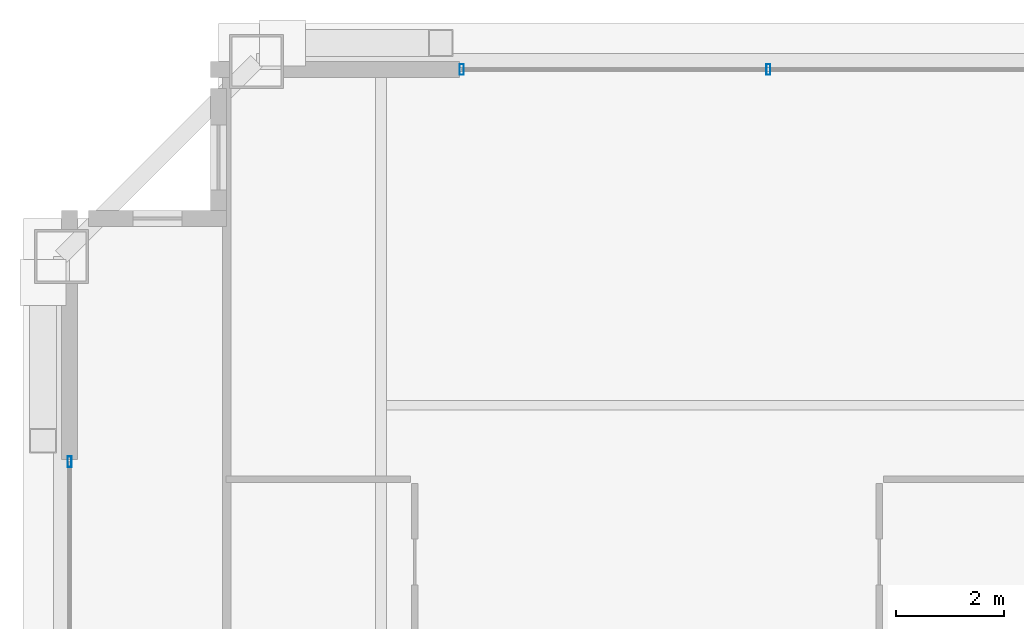
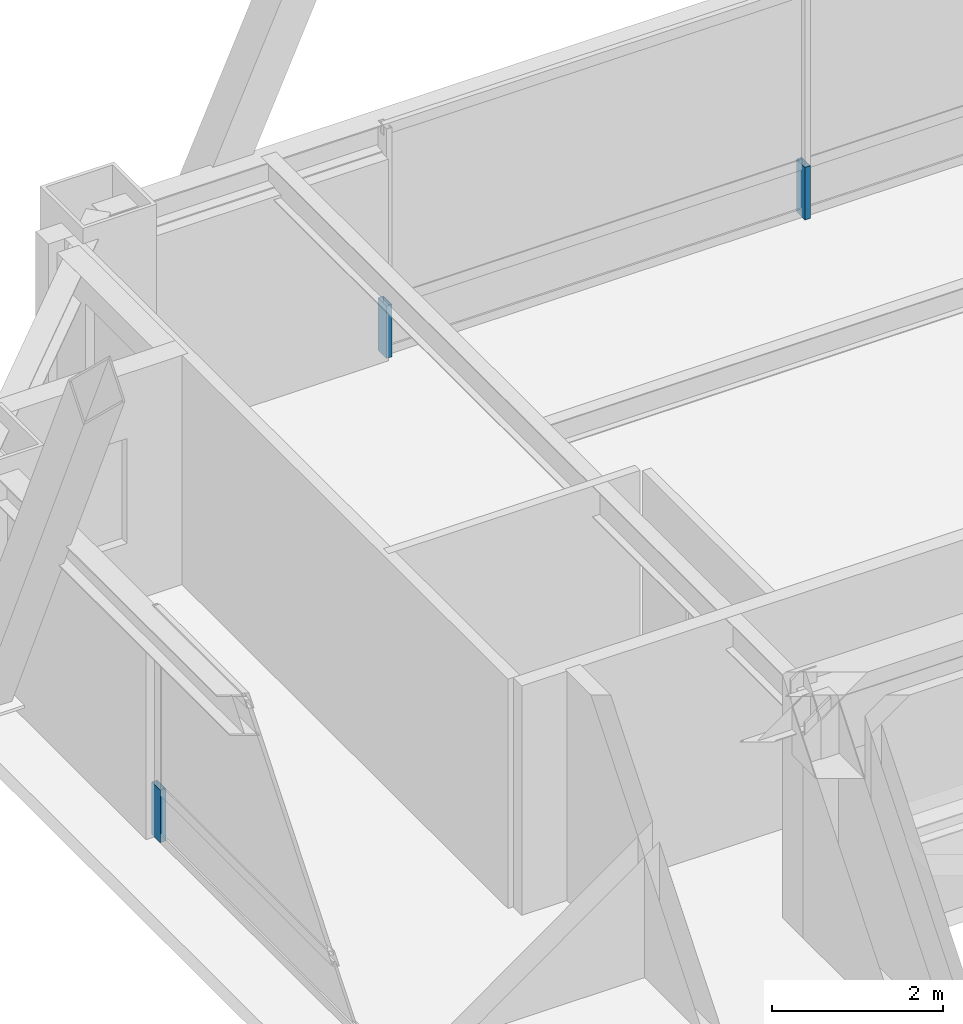
# One storey, part 26 of 34: 3 members, 2 elements without a shape of their own.
"""IFC4 building model written with IfcOpenShell, lengths in metres."""

import ifcopenshell
import ifcopenshell.guid

model = None  # the IFC model being written
_history = None  # IfcOwnerHistory: only IFC2X3 demands one
_inside = {}  # id of a spatial element -> (the spatial element, [elements in it])
_under = {}  # id of a project, library or spatial element -> (it, [spatial elements below it])
_declared = {}  # id of a project -> (the project, [libraries it declares])
_typed = {}  # id of a type object -> (the type object, [elements of that type])
_made_of = {}  # id of a material, layer set ... -> (it, [elements and type objects made of it])


def new_model(schema):
    """Start an empty IFC model of exactly this schema.

    Asked for "IFC4X3", IfcOpenShell would pick the latest addendum, in which some entities
    have other attributes; the version numbers below select the first issue.
    IFC2X3 requires an IfcOwnerHistory on every rooted entity: one is made here for all.
    """
    global model, _history
    if schema == "IFC4X3":
        model = ifcopenshell.file(schema_version=(4, 3, 0, 0))
    else:
        model = ifcopenshell.file(schema=schema)
    _inside.clear()
    _under.clear()
    _declared.clear()
    _typed.clear()
    _made_of.clear()
    _history = None
    if model.schema == "IFC2X3":
        org = make("IfcOrganization", Name="unknown")
        user = make(
            "IfcPersonAndOrganization",
            ThePerson=make("IfcPerson", FamilyName="unknown"),
            TheOrganization=org,
        )
        app = make(
            "IfcApplication",
            ApplicationDeveloper=org,
            Version="unknown",
            ApplicationFullName="unknown",
            ApplicationIdentifier="unknown",
        )
        _history = make(
            "IfcOwnerHistory",
            OwningUser=user,
            OwningApplication=app,
            ChangeAction="ADDED",
            CreationDate=0,
        )
    return model


def make(cls, **values):
    """One entity of the class cls with the attributes given. An attribute that is None is left unset."""
    return model.create_entity(
        cls, **{name: value for name, value in values.items() if value is not None}
    )


def rooted(cls, **values):
    """An entity with a GlobalId (a new one), such as an element, a storey or a relation."""
    return make(cls, GlobalId=ifcopenshell.guid.new(), OwnerHistory=_history, **values)


def si_unit(unit_type, name, prefix=None):
    """IfcSIUnit, for example si_unit("LENGTHUNIT", "METRE", prefix="MILLI")."""
    return make("IfcSIUnit", UnitType=unit_type, Prefix=prefix, Name=name)


def assignment(units):
    """IfcUnitAssignment: the units of a project."""
    return None if units is None else make("IfcUnitAssignment", Units=units)


def point(xyz):
    """IfcCartesianPoint."""
    return None if xyz is None else make("IfcCartesianPoint", Coordinates=xyz)


def direction(xyz):
    """IfcDirection."""
    return None if xyz is None else make("IfcDirection", DirectionRatios=xyz)


def frame(location, z_axis=None, x_axis=None):
    """IfcAxis2Placement3D, a coordinate frame: its origin and axes. An axis left out is left unset."""
    return make(
        "IfcAxis2Placement3D",
        Location=point(location),
        Axis=direction(z_axis),
        RefDirection=direction(x_axis),
    )


def frame_2d(location, x_axis=None):
    """IfcAxis2Placement2D, a coordinate frame in the plane: its origin and x axis."""
    return make(
        "IfcAxis2Placement2D", Location=point(location), RefDirection=direction(x_axis)
    )


def origin():
    """The frame at (0, 0, 0) with its axes left unset."""
    return frame((0.0, 0.0, 0.0))


def origin_2d():
    """The frame at (0, 0) in the plane with its x axis left unset."""
    return frame_2d((0.0, 0.0))


def place(relative_to, where):
    """IfcLocalPlacement: puts the frame where relative to a parent placement (None: the world)."""
    return make(
        "IfcLocalPlacement", PlacementRelTo=relative_to, RelativePlacement=where
    )


def context(
    kind, dimensions, precision=None, world=None, true_north=None, identifier=None
):
    """IfcGeometricRepresentationContext, for example the 3D "Model" context."""
    return make(
        "IfcGeometricRepresentationContext",
        ContextIdentifier=identifier,
        ContextType=kind,
        CoordinateSpaceDimension=dimensions,
        Precision=precision,
        WorldCoordinateSystem=world,
        TrueNorth=true_north,
    )


def subcontext(parent, identifier, kind, view, scale=None):
    """IfcGeometricRepresentationSubContext, for example "Body" below "Model"."""
    return make(
        "IfcGeometricRepresentationSubContext",
        ContextIdentifier=identifier,
        ContextType=kind,
        ParentContext=parent,
        TargetScale=scale,
        TargetView=view,
    )


def project(units=None, contexts=None):
    """IfcProject with its units and contexts."""
    return rooted(
        "IfcProject",
        Name="project",
        RepresentationContexts=contexts,
        UnitsInContext=assignment(units),
    )


def spatial(cls, under=None, at=None, **own):
    """A site, building, storey or space (cls), placed at a placement, below another one or the project."""
    s = rooted(cls, ObjectPlacement=at, **own)
    if under is not None:
        _under.setdefault(under.id(), (under, []))[1].append(s)
    return s


def profile(cls, at=None, kind="AREA", **sizes):
    """A parametric profile (cls). Its sizes go by their IFC names, for example OverallWidth=200.0."""
    return make(cls, ProfileType=kind, Position=at, **sizes)


def hollow_rectangle(**sizes):
    """IfcRectangleHollowProfileDef."""
    return profile("IfcRectangleHollowProfileDef", **sizes)


def extrude(swept, where, along, depth):
    """IfcExtrudedAreaSolid: the profile swept, set in the frame where, extruded along a direction by depth."""
    return make(
        "IfcExtrudedAreaSolid",
        SweptArea=swept,
        Position=where,
        ExtrudedDirection=direction(along),
        Depth=depth,
    )


def shape(context_of_items, identifier, shape_type, items):
    """IfcShapeRepresentation: the items that make up one representation, for example the "Body"."""
    return make(
        "IfcShapeRepresentation",
        ContextOfItems=context_of_items,
        RepresentationIdentifier=identifier,
        RepresentationType=shape_type,
        Items=items,
    )


def source(mapping_origin, context_of_items, identifier, shape_type, items):
    """IfcRepresentationMap: a shape defined once, which mapped items show again and again."""
    return make(
        "IfcRepresentationMap",
        MappingOrigin=mapping_origin,
        MappedRepresentation=shape(context_of_items, identifier, shape_type, items),
    )


def transform(
    local_origin,
    x_axis=None,
    y_axis=None,
    z_axis=None,
    scale=None,
    scale2=None,
    scale3=None,
    uniform=True,
):
    """IfcCartesianTransformationOperator3D, or its non-uniform kind. x_axis, y_axis, z_axis: its Axis1, 2, 3."""
    if uniform:
        return make(
            "IfcCartesianTransformationOperator3D",
            Axis1=direction(x_axis),
            Axis2=direction(y_axis),
            LocalOrigin=point(local_origin),
            Scale=scale,
            Axis3=direction(z_axis),
        )
    return make(
        "IfcCartesianTransformationOperator3DnonUniform",
        Axis1=direction(x_axis),
        Axis2=direction(y_axis),
        LocalOrigin=point(local_origin),
        Scale=scale,
        Axis3=direction(z_axis),
        Scale2=scale2,
        Scale3=scale3,
    )


def mapped(mapping_source, mapping_target):
    """IfcMappedItem: shows the shape of a source again, moved by a transform."""
    return make(
        "IfcMappedItem", MappingSource=mapping_source, MappingTarget=mapping_target
    )


def material(Name=None, Category=None):
    """IfcMaterial."""
    return make("IfcMaterial", Name=Name, Category=Category)


def layer(
    of_material, thickness, ventilated=None, Name=None, Category=None, Priority=None
):
    """IfcMaterialLayer: one layer of a wall or slab, of a material (None: an air gap)."""
    return make(
        "IfcMaterialLayer",
        Material=of_material,
        LayerThickness=thickness,
        IsVentilated=ventilated,
        Name=Name,
        Category=Category,
        Priority=Priority,
    )


def layer_set(layers, Name=None):
    """IfcMaterialLayerSet."""
    return make("IfcMaterialLayerSet", MaterialLayers=layers, LayerSetName=Name)


def material_profile(
    of_material, cross_section, Name=None, Category=None, Priority=None
):
    """IfcMaterialProfile: a cross section and its material."""
    return make(
        "IfcMaterialProfile",
        Name=Name,
        Material=of_material,
        Profile=cross_section,
        Priority=Priority,
        Category=Category,
    )


def profile_set(profiles, Name=None, composite=None):
    """IfcMaterialProfileSet."""
    return make(
        "IfcMaterialProfileSet",
        Name=Name,
        MaterialProfiles=profiles,
        CompositeProfile=composite,
    )


def made_of(thing, what):
    """Note that an element or type object is made of a material, layer set ...; save() writes the relation."""
    if what is not None:
        _made_of.setdefault(what.id(), (what, []))[1].append(thing)
    return thing


def type_object(cls, material=None, **own):
    """A type object (cls), such as IfcWallType, which elements share."""
    return made_of(rooted(cls, **own), material)


def element(
    cls,
    number,
    at=None,
    inside=None,
    cuts=None,
    type_object=None,
    material=None,
    context=None,
    identifier="Body",
    shape_type=None,
    held_by="IfcProductDefinitionShape",
    body=None,
    shapes=None,
    **own,
):
    """One element of the class cls, such as IfcWall. Its Tag is "e" and its number.

    at: its placement. inside: the storey or other place that contains it. cuts: it is an
    opening in that element (IfcRelVoidsElement). A single representation is given by context,
    identifier, shape_type and body (its items); several are given by shapes. held_by: the class
    of the entity that holds the representations. save() writes the other relations.
    """
    e = rooted(cls, Tag="e%d" % number, ObjectPlacement=at, **own)
    if body is not None:
        shapes = [shape(context, identifier, shape_type, body)]
    if shapes is not None:
        e.Representation = make(held_by, Representations=shapes)
    if inside is not None:
        _inside.setdefault(inside.id(), (inside, []))[1].append(e)
    if cuts is not None:
        rooted(
            "IfcRelVoidsElement", RelatingBuildingElement=cuts, RelatedOpeningElement=e
        )
    if type_object is not None:
        _typed.setdefault(type_object.id(), (type_object, []))[1].append(e)
    return made_of(e, material)


def aggregate(whole, parts):
    """IfcRelAggregates: a whole, such as a stair, and the parts it consists of."""
    return rooted("IfcRelAggregates", RelatingObject=whole, RelatedObjects=parts)


def save(model, path):
    """Write the relations noted so far, then the file.

    IfcRelAggregates (storeys below a building ...), IfcRelContainedInSpatialStructure (elements
    in a storey), IfcRelDefinesByType, IfcRelAssociatesMaterial and IfcRelDeclares: one each for
    every whole, place, type object, material and project.
    """
    for whole, parts in _under.values():
        aggregate(whole, parts)
    for where, things in _inside.values():
        rooted(
            "IfcRelContainedInSpatialStructure",
            RelatedElements=things,
            RelatingStructure=where,
        )
    for kind, things in _typed.values():
        rooted("IfcRelDefinesByType", RelatedObjects=things, RelatingType=kind)
    for what, things in _made_of.values():
        rooted("IfcRelAssociatesMaterial", RelatedObjects=things, RelatingMaterial=what)
    for by, libraries in _declared.values():
        rooted("IfcRelDeclares", RelatingContext=by, RelatedDefinitions=libraries)
    model.write(path)


model = new_model("IFC4")

# Units and contexts
model_context = context("Model", 3, precision=1e-05, world=origin(), true_north=direction((0.0, 1.0)))
body_context = subcontext(model_context, "Body", "Model", "MODEL_VIEW")
ifc_project = project(units=[si_unit("LENGTHUNIT", "METRE"), si_unit("AREAUNIT", "SQUARE_METRE"), si_unit("VOLUMEUNIT", "CUBIC_METRE"), si_unit("PLANEANGLEUNIT", "RADIAN"), si_unit("MASSUNIT", "GRAM", prefix="KILO"), si_unit("THERMODYNAMICTEMPERATUREUNIT", "KELVIN"), si_unit("POWERUNIT", "WATT")], contexts=[model_context])

# Site, building, storey
site_placement = place(None, origin())
site = spatial("IfcSite", under=ifc_project, at=site_placement, CompositionType="ELEMENT")
building_placement = place(site_placement, origin())
building = spatial("IfcBuilding", under=site, at=building_placement, Name="Yuzanri Waterfront Tower", CompositionType="ELEMENT")
storey_placement = place(building_placement, frame((0.0, 0.0, 328.699951171875)))
storey = spatial("IfcBuildingStorey", under=building, at=storey_placement, Name="L88", CompositionType="ELEMENT", Elevation=328.699951171875)

# Curtain wall, members
ifc_material_1 = material(Name="Anodized Architectural Bronze", Category="metal")
ifc_layer = layer(ifc_material_1, 0.159912109375)
ifc_layer_set = layer_set([ifc_layer], Name="Anodized Architectural Bronze")
curtain_wall_type = type_object("IfcCurtainWallType", Name="Anodized Bronze High-Rise Penthouse High-Wind Unitized Curtain Wall 6900", PredefinedType="NOTDEFINED", material=ifc_layer_set)
curtain_wall_1_placement = place(storey_placement, origin())
curtain_wall_1 = element("IfcCurtainWall", 1, at=curtain_wall_1_placement, inside=storey, type_object=curtain_wall_type, Name="L88 Curtain Wall CW-L88-NL", PredefinedType="NOTDEFINED")
ifc_material_2 = material(Name="Anodized Architectural Bronze", Category="metal")
ifc_material_profile = material_profile(ifc_material_2, hollow_rectangle(XDim=0.074951171875, YDim=0.199951171875, WallThickness=0.00390625, at=origin_2d()), Name="CWM 75x200")
ifc_profile_set = profile_set([ifc_material_profile], Name="Anodized Architectural Bronze")
member_type = type_object("IfcMemberType", Name="Anodized Bronze Primary Curtain-Wall Mullion 75x200", PredefinedType="MULLION", material=ifc_profile_set)
shared_shape = source(origin(), body_context, "Body", "SweptSolid", [
    extrude(hollow_rectangle(XDim=0.074951171875, YDim=0.199951171875, WallThickness=0.00390625, at=origin_2d()), origin(), (0.0, 0.0, 1.0), 0.751953125),
])
member_1_placement = place(storey_placement, frame((25.2900390625, 44.75, 0.0), z_axis=(0.0, 0.0, 1.0), x_axis=(1.0, 0.0, 0.0)))
member_1 = element("IfcMember", 2, at=member_1_placement, type_object=member_type, Name="CW-L88-NL Lower Mullion 00", PredefinedType="MULLION", context=body_context, shape_type="MappedRepresentation", body=[
    mapped(shared_shape, transform((0.0, 0.0, 0.0), scale=1.0)),
])
member_2_placement = place(storey_placement, frame((30.949951171875, 44.75, 0.0), z_axis=(0.0, 0.0, 1.0), x_axis=(1.0, 0.0, 0.0)))
member_2 = element("IfcMember", 3, at=member_2_placement, type_object=member_type, Name="CW-L88-NL Lower Mullion 01", PredefinedType="MULLION", context=body_context, shape_type="MappedRepresentation", body=[
    mapped(shared_shape, transform((0.0, 0.0, 0.0), scale=1.0)),
])
aggregate(curtain_wall_1, [member_1, member_2])

# Curtain wall, member
curtain_wall_2_placement = place(storey_placement, origin())
curtain_wall_2 = element("IfcCurtainWall", 4, at=curtain_wall_2_placement, inside=storey, type_object=curtain_wall_type, Name="L88 Curtain Wall CW-L88-WR", PredefinedType="NOTDEFINED")
member_3_placement = place(storey_placement, frame((18.050048828125, 37.510009765625, 0.0), z_axis=(0.0, 0.0, 1.0), x_axis=(1.0, 0.0, 0.0)))
member_3 = element("IfcMember", 5, at=member_3_placement, type_object=member_type, Name="CW-L88-WR Lower Mullion 02", PredefinedType="MULLION", context=body_context, shape_type="MappedRepresentation", body=[
    mapped(shared_shape, transform((0.0, 0.0, 0.0), scale=1.0)),
])
aggregate(curtain_wall_2, [member_3])

save(model, "model.ifc")
